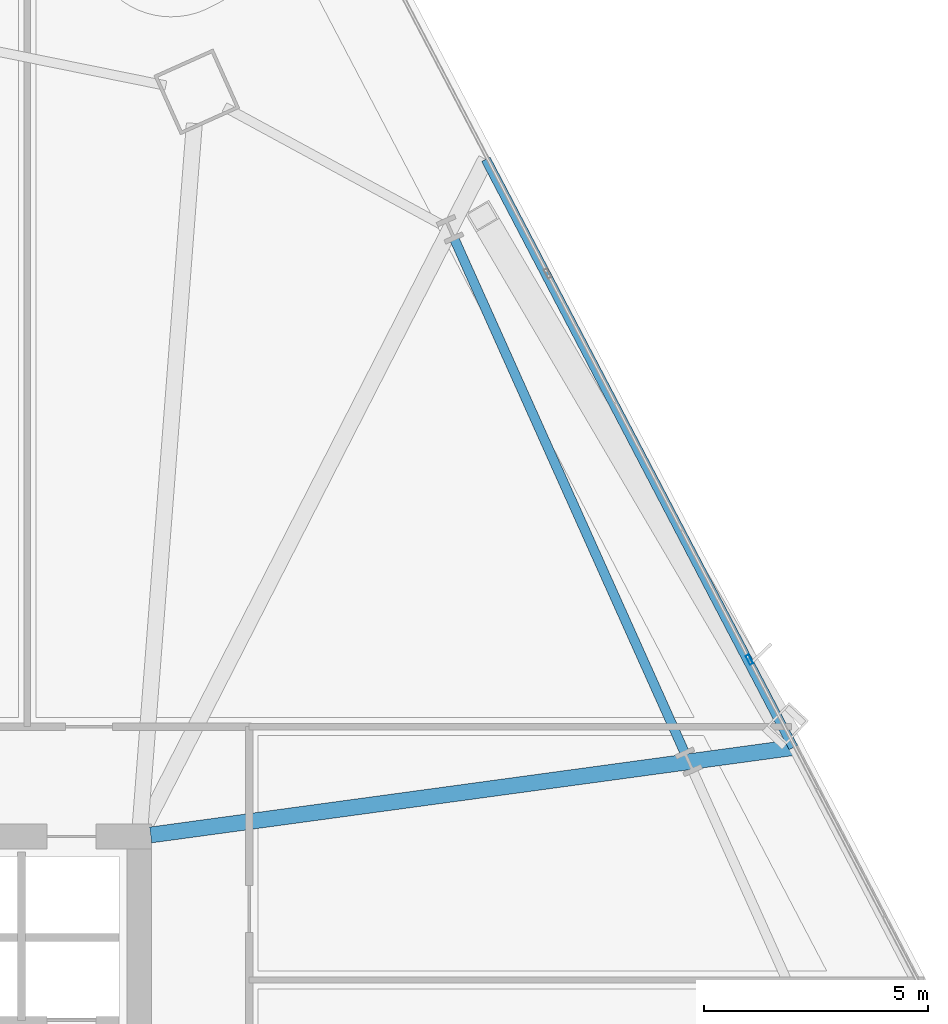
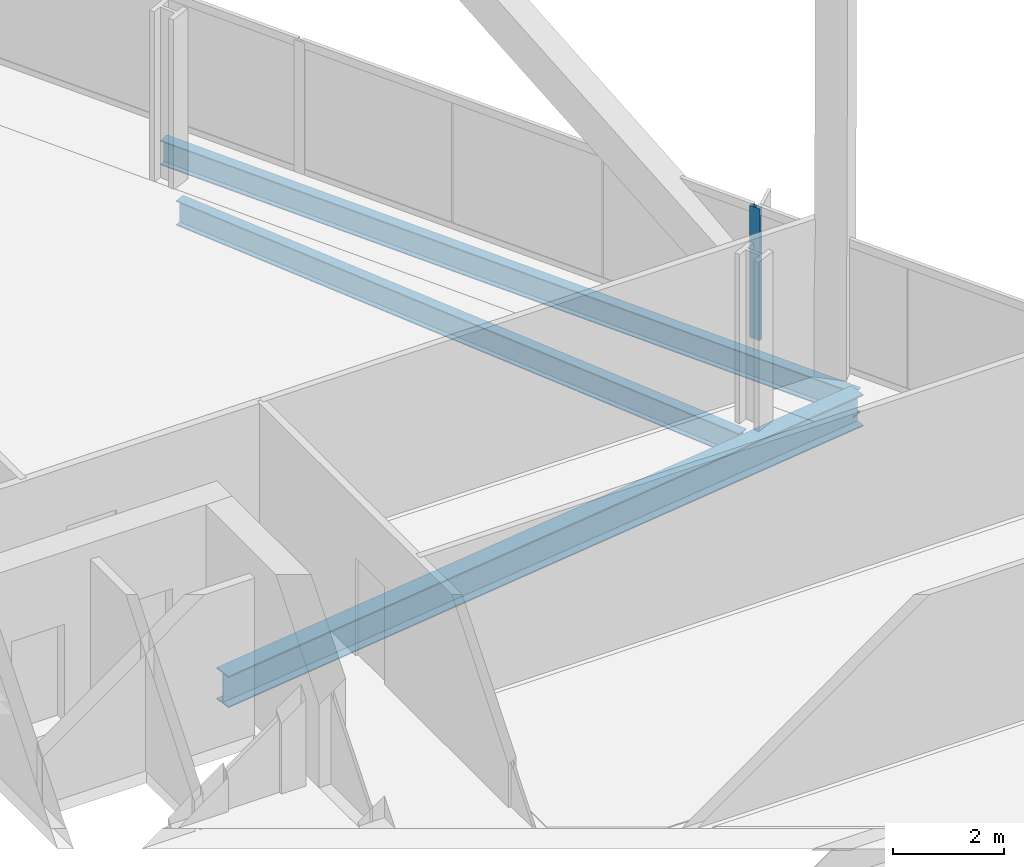
# One storey, part 21 of 33: 3 beams, 1 member, 1 element without a shape of its own.
"""IFC4 building model written with IfcOpenShell, lengths in metres."""

from ifc_helpers import new_model, si_unit, direction, frame, origin, origin_2d, place, context, subcontext, project, spatial, hollow_rectangle, i_section, extrude, material, material_profile, profile_set, type_object, element, aggregate, save


model = new_model("IFC4")

# Units and contexts
model_context = context("Model", 3, precision=1e-05, world=origin(), true_north=direction((0.0, 1.0)))
body_context = subcontext(model_context, "Body", "Model", "MODEL_VIEW")
ifc_project = project(units=[si_unit("LENGTHUNIT", "METRE"), si_unit("AREAUNIT", "SQUARE_METRE"), si_unit("VOLUMEUNIT", "CUBIC_METRE"), si_unit("PLANEANGLEUNIT", "RADIAN"), si_unit("MASSUNIT", "GRAM", prefix="KILO")], contexts=[model_context])

# Site, building, storey
site_placement = place(None, origin())
site = spatial("IfcSite", under=ifc_project, at=site_placement, CompositionType="ELEMENT")
building_placement = place(site_placement, origin())
building = spatial("IfcBuilding", under=site, at=building_placement, Name="Haldenkirk Collegiate Tower", CompositionType="ELEMENT")
storey_placement = place(building_placement, frame((0.0, 0.0, 120.449951171875)))
storey = spatial("IfcBuildingStorey", under=building, at=storey_placement, Name="L29", CompositionType="ELEMENT", Elevation=120.449951171875)

# Beams
ifc_material_1 = material(Name="Steel ASTM A992 Grade 50", Category="steel")
ifc_material_profile_1 = material_profile(ifc_material_1, i_section(OverallWidth=0.35498046875, OverallDepth=0.696044921875, WebThickness=0.015380859375, FlangeThickness=0.02490234375, at=origin_2d()), Name="W27X146")
ifc_profile_set_1 = profile_set([ifc_material_profile_1], Name="Steel ASTM A992 Grade 50")
beam_type_1 = type_object("IfcBeamType", Name="BM-GIRDER-W27X146", PredefinedType="BEAM", material=ifc_profile_set_1)
beam_1_placement = place(storey_placement, frame((59.58837890625, 35.984619140625, -0.64794921875), z_axis=(-0.99087334839, -0.134796170012, 0.0), x_axis=(0.134796170012, -0.99087334839, 0.0)))
element("IfcBeam", 1, at=beam_1_placement, inside=storey, type_object=beam_type_1, Name="L29 primary floor girder 09", PredefinedType="BEAM", context=body_context, shape_type="SweptSolid", body=[
    extrude(i_section(OverallWidth=0.35498046875, OverallDepth=0.696044921875, WebThickness=0.015380859375, FlangeThickness=0.02490234375, at=origin_2d()), origin(), (0.0, 0.0, 1.0), 14.4677734375),
])
ifc_material_profile_2 = material_profile(ifc_material_1, i_section(OverallWidth=0.2119140625, OverallDepth=0.5439453125, WebThickness=0.01318359375, FlangeThickness=0.021240234375, at=origin_2d()), Name="W21X83")
ifc_profile_set_2 = profile_set([ifc_material_profile_2], Name="Steel ASTM A992 Grade 50")
beam_type_2 = type_object("IfcBeamType", Name="BM-SPANDREL-W21X83", PredefinedType="SPANDREL", material=ifc_profile_set_2)
beam_2_placement = place(storey_placement, frame((57.15478515625, 35.89111328125, -0.572021484375), z_axis=(-0.409131464477, 0.912475448861, 0.0), x_axis=(-0.912475448861, -0.409131464477, 0.0)))
element("IfcBeam", 2, at=beam_2_placement, inside=storey, type_object=beam_type_2, Name="L29 perimeter spandrel beam 07", PredefinedType="SPANDREL", context=body_context, shape_type="SweptSolid", body=[
    extrude(i_section(OverallWidth=0.2119140625, OverallDepth=0.5439453125, WebThickness=0.01318359375, FlangeThickness=0.021240234375, at=origin_2d()), origin(), (0.0, 0.0, 1.0), 12.524169921875),
])
beam_3_placement = place(storey_placement, frame((59.58837890625, 35.984619140625, -0.572021484375), z_axis=(-0.463295124995, 0.886204055033, 0.0), x_axis=(-0.886204055033, -0.463295124995, 0.0)))
element("IfcBeam", 3, at=beam_3_placement, inside=storey, type_object=beam_type_2, Name="L29 outer facade edge beam 2B", PredefinedType="SPANDREL", context=body_context, shape_type="SweptSolid", body=[
    extrude(i_section(OverallWidth=0.2119140625, OverallDepth=0.5439453125, WebThickness=0.01318359375, FlangeThickness=0.021240234375, at=origin_2d()), origin(), (0.0, 0.0, 1.0), 14.8046875),
])

# Curtain wall, member
ifc_material_2 = material(Name="Anodised architectural bronze aluminium", Category="aluminium")
curtain_wall_type = type_object("IfcCurtainWallType", Name="CW-SYS1-CONVEX-LOW", PredefinedType="USERDEFINED", material=ifc_material_2)
curtain_wall_placement = place(storey_placement, origin())
curtain_wall = element("IfcCurtainWall", 4, at=curtain_wall_placement, inside=storey, type_object=curtain_wall_type, Name="L29 Lower tower convex bronze-framed unitised curtain wall", ObjectType="UNITISED CURTAIN WALL", PredefinedType="USERDEFINED")
ifc_material_profile_3 = material_profile(ifc_material_2, hollow_rectangle(XDim=0.080078125, YDim=0.219970703125, WallThickness=0.0048828125, at=origin_2d()), Name="CW-MUL-1A")
ifc_profile_set_3 = profile_set([ifc_material_profile_3], Name="Anodised architectural bronze aluminium")
member_type = type_object("IfcMemberType", Name="CW-MUL-1A", PredefinedType="MULLION", material=ifc_profile_set_3)
member_placement = place(storey_placement, frame((58.608154296875, 37.946044921875, 0.0), z_axis=(0.0, 0.0, 1.0), x_axis=(0.88620357746, 0.463296038507, 0.0)))
member = element("IfcMember", 5, at=member_placement, type_object=member_type, Name="CW-1A mullion 3", PredefinedType="MULLION", context=body_context, shape_type="SweptSolid", body=[
    extrude(hollow_rectangle(XDim=0.080078125, YDim=0.219970703125, WallThickness=0.0048828125, at=origin_2d()), origin(), (0.0, 0.0, 1.0), 2.901123046875),
])
aggregate(curtain_wall, [member])

save(model, "model.ifc")
